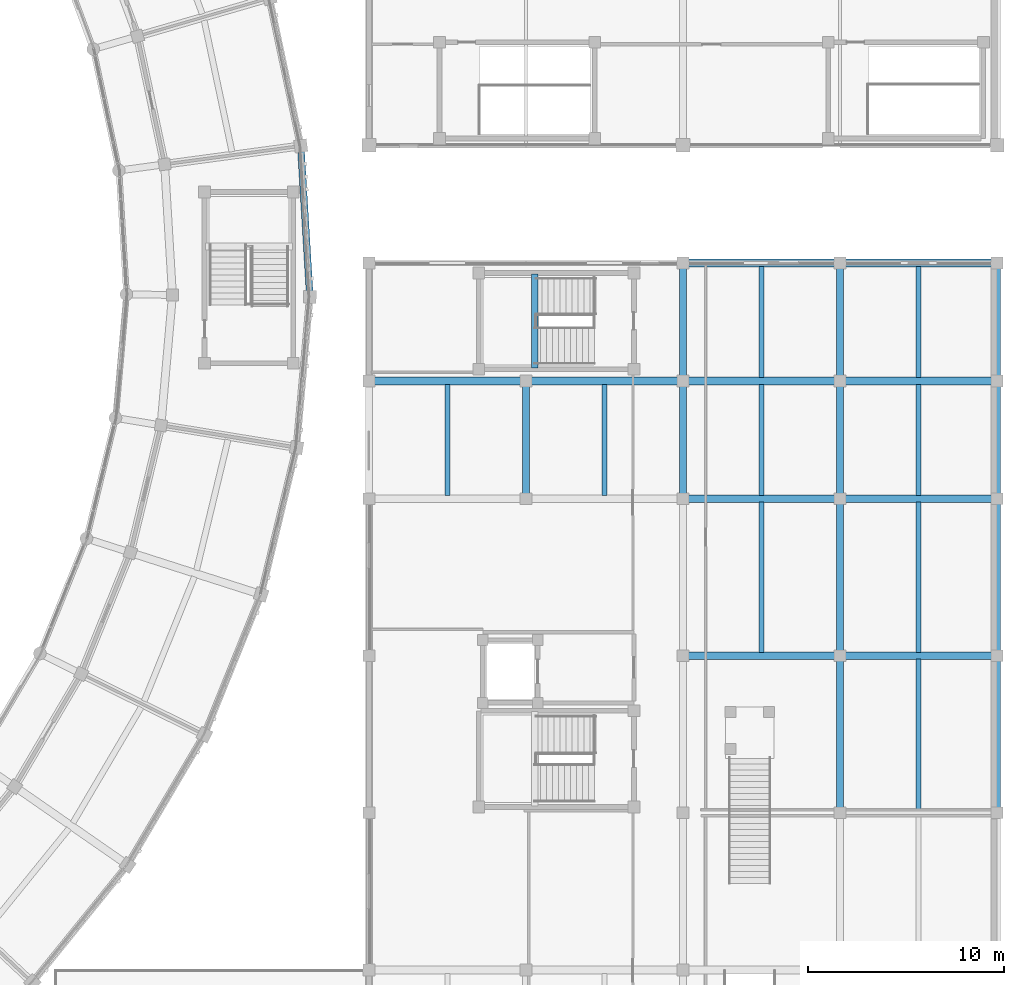
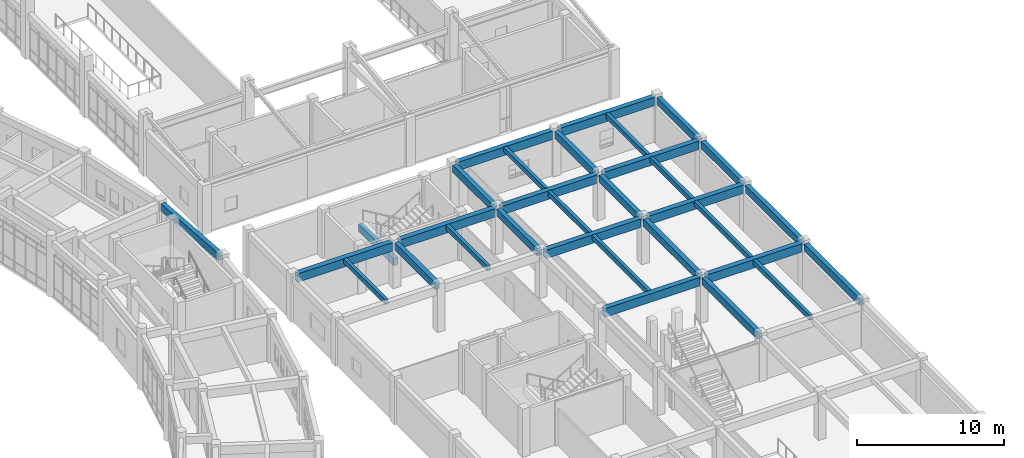
# One storey, part 88 of 159: 32 beams.
"""IFC4 building model written with IfcOpenShell, lengths in metres."""

from ifc_helpers import new_model, si_unit, direction, frame, origin, origin_2d, place, context, subcontext, project, spatial, rectangle, extrude, material, material_profile, profile_set, type_object, element, save


model = new_model("IFC4")

# Units and contexts
model_context = context("Model", 3, precision=1e-05, world=origin(), true_north=direction((0.0, 1.0)))
body_context = subcontext(model_context, "Body", "Model", "MODEL_VIEW")
ifc_project = project(units=[si_unit("LENGTHUNIT", "METRE"), si_unit("AREAUNIT", "SQUARE_METRE"), si_unit("VOLUMEUNIT", "CUBIC_METRE"), si_unit("PLANEANGLEUNIT", "RADIAN"), si_unit("MASSUNIT", "GRAM", prefix="KILO")], contexts=[model_context])

# Site, building, storey
site_placement = place(None, origin())
site = spatial("IfcSite", under=ifc_project, at=site_placement, CompositionType="ELEMENT")
building_placement = place(site_placement, origin())
building = spatial("IfcBuilding", under=site, at=building_placement, Name="Celadon Cloister-Ring School", CompositionType="ELEMENT")
storey_placement = place(building_placement, frame((0.0, 0.0, 4.5)))
storey = spatial("IfcBuildingStorey", under=building, at=storey_placement, Name="L01", CompositionType="ELEMENT", Elevation=4.5)

# Beams
ifc_material_1 = material(Name="Concrete C35/45", Category="concrete")
ifc_material_profile_1 = material_profile(ifc_material_1, rectangle(XDim=0.35009765625, YDim=0.60009765625, at=origin_2d()), Name="RC350X600")
ifc_profile_set_1 = profile_set([ifc_material_profile_1], Name="Concrete C35/45")
beam_type_1 = type_object("IfcBeamType", Name="BT-02", PredefinedType="BEAM", material=ifc_profile_set_1)
for number, where, z_axis, x_axis, name in (
    (1, (150.0, 48.27490234375, 3.4599609375), (0.0, 1.0, 0.0), (-1.0, 0.0, 0.0), "Beam 1331"),
    (2, (158.0, 48.27490234375, 3.4599609375), (0.0, 1.0, 0.0), (-1.0, 0.0, 0.0), "Beam 1338"),
    (3, (158.0, 54.27490234375, 3.4599609375), (0.0, 1.0, 0.0), (-1.0, 0.0, 0.0), "Beam 1339"),
):
    element("IfcBeam", number, at=place(storey_placement, frame(where, z_axis=z_axis, x_axis=x_axis)), inside=storey, type_object=beam_type_1, Name=name, PredefinedType="BEAM", context=body_context, shape_type="SweptSolid", body=[
        extrude(rectangle(XDim=0.35009765625, YDim=0.60009765625, at=origin_2d()), origin(), (0.0, 0.0, 1.0), 5.4501953125),
    ])
for number, where, z_axis, x_axis, name in (
    (4, (166.0, 32.27490234375, 3.4599609375), (0.0, 1.0, 0.0), (-1.0, 0.0, 0.0), "Beam 1344"),
    (5, (166.0, 40.27490234375, 3.4599609375), (0.0, 1.0, 0.0), (-1.0, 0.0, 0.0), "Beam 1345"),
):
    element("IfcBeam", number, at=place(storey_placement, frame(where, z_axis=z_axis, x_axis=x_axis)), inside=storey, type_object=beam_type_1, Name=name, PredefinedType="BEAM", context=body_context, shape_type="SweptSolid", body=[
        extrude(rectangle(XDim=0.35009765625, YDim=0.60009765625, at=origin_2d()), origin(), (0.0, 0.0, 1.0), 7.4501953125),
    ])
for number, where, z_axis, x_axis, name in (
    (6, (166.0, 48.27490234375, 3.4599609375), (0.0, 1.0, 0.0), (-1.0, 0.0, 0.0), "Beam 1346"),
    (7, (166.0, 54.27490234375, 3.4599609375), (0.0, 1.0, 0.0), (-1.0, 0.0, 0.0), "Beam 1347"),
):
    element("IfcBeam", number, at=place(storey_placement, frame(where, z_axis=z_axis, x_axis=x_axis)), inside=storey, type_object=beam_type_1, Name=name, PredefinedType="BEAM", context=body_context, shape_type="SweptSolid", body=[
        extrude(rectangle(XDim=0.35009765625, YDim=0.60009765625, at=origin_2d()), origin(), (0.0, 0.0, 1.0), 5.4501953125),
    ])
for number, where, z_axis, x_axis, name in (
    (8, (174.0, 32.27490234375, 3.4599609375), (0.0, 1.0, 0.0), (-1.0, 0.0, 0.0), "Beam 1352"),
    (9, (174.0, 40.27490234375, 3.4599609375), (0.0, 1.0, 0.0), (-1.0, 0.0, 0.0), "Beam 1353"),
):
    element("IfcBeam", number, at=place(storey_placement, frame(where, z_axis=z_axis, x_axis=x_axis)), inside=storey, type_object=beam_type_1, Name=name, PredefinedType="BEAM", context=body_context, shape_type="SweptSolid", body=[
        extrude(rectangle(XDim=0.35009765625, YDim=0.60009765625, at=origin_2d()), origin(), (0.0, 0.0, 1.0), 7.4501953125),
    ])
for number, where, z_axis, x_axis, name in (
    (10, (174.0, 48.27490234375, 3.4599609375), (0.0, 1.0, 0.0), (-1.0, 0.0, 0.0), "Beam 1354"),
    (11, (174.0, 54.27490234375, 3.4599609375), (0.0, 1.0, 0.0), (-1.0, 0.0, 0.0), "Beam 1355"),
):
    element("IfcBeam", number, at=place(storey_placement, frame(where, z_axis=z_axis, x_axis=x_axis)), inside=storey, type_object=beam_type_1, Name=name, PredefinedType="BEAM", context=body_context, shape_type="SweptSolid", body=[
        extrude(rectangle(XDim=0.35009765625, YDim=0.60009765625, at=origin_2d()), origin(), (0.0, 0.0, 1.0), 5.4501953125),
    ])
beam_1_placement = place(storey_placement, frame((150.449951171875, 54.64990234375, 1.39990234375), z_axis=(0.0, 1.0, 0.0), x_axis=(-1.0, 0.0, 0.0)))
element("IfcBeam", 12, at=beam_1_placement, inside=storey, type_object=beam_type_1, Name="Stair Landing Beam 1749", PredefinedType="BEAM", context=body_context, shape_type="SweptSolid", body=[
    extrude(rectangle(XDim=0.35009765625, YDim=0.60009765625, at=origin_2d()), origin(), (0.0, 0.0, 1.0), 4.800048828125),
])
ifc_material_2 = material(Name="Concrete C35/45", Category="concrete")
ifc_material_profile_2 = material_profile(ifc_material_2, rectangle(XDim=0.39990234375, YDim=0.699951171875, at=origin_2d()), Name="RC400X700")
ifc_profile_set_2 = profile_set([ifc_material_profile_2], Name="Concrete C35/45")
beam_type_2 = type_object("IfcBeamType", Name="GT-03", PredefinedType="USERDEFINED", material=ifc_profile_set_2)
for number, where, z_axis, x_axis, name in (
    (13, (158.27490234375, 40.0, 3.409912109375), (1.0, 0.0, 0.0), (0.0, 1.0, 0.0), "Beam 1304"),
    (14, (166.27490234375, 40.0, 3.409912109375), (1.0, 0.0, 0.0), (0.0, 1.0, 0.0), "Beam 1305"),
    (15, (158.27490234375, 48.0, 3.409912109375), (1.0, 0.0, 0.0), (0.0, 1.0, 0.0), "Beam 1308"),
    (16, (166.27490234375, 48.0, 3.409912109375), (1.0, 0.0, 0.0), (0.0, 1.0, 0.0), "Beam 1309"),
    (17, (142.27490234375, 54.0, 3.409912109375), (1.0, 0.0, 0.0), (0.0, 1.0, 0.0), "Beam 1310"),
    (18, (150.27490234375, 54.0, 3.409912109375), (1.0, 0.0, 0.0), (0.0, 1.0, 0.0), "Beam 1311"),
    (19, (158.27490234375, 54.0, 3.409912109375), (1.0, 0.0, 0.0), (0.0, 1.0, 0.0), "Beam 1312"),
    (20, (166.27490234375, 54.0, 3.409912109375), (1.0, 0.0, 0.0), (0.0, 1.0, 0.0), "Beam 1313"),
    (21, (158.27490234375, 60.0, 3.409912109375), (1.0, 0.0, 0.0), (0.0, 1.0, 0.0), "Beam 1314"),
    (22, (166.27490234375, 60.0, 3.409912109375), (1.0, 0.0, 0.0), (0.0, 1.0, 0.0), "Beam 1315"),
):
    element("IfcBeam", number, at=place(storey_placement, frame(where, z_axis=z_axis, x_axis=x_axis)), inside=storey, type_object=beam_type_2, Name=name, ObjectType="GIRDER", PredefinedType="USERDEFINED", context=body_context, shape_type="SweptSolid", body=[
        extrude(rectangle(XDim=0.39990234375, YDim=0.699951171875, at=origin_2d()), origin(), (0.0, 0.0, 1.0), 7.4501953125),
    ])
ifc_material_3 = material(Name="Concrete C35/45", Category="concrete")
ifc_material_profile_3 = material_profile(ifc_material_3, rectangle(XDim=0.25, YDim=0.39990234375, at=origin_2d()), Name="RC250X400")
ifc_profile_set_3 = profile_set([ifc_material_profile_3], Name="Concrete C35/45")
beam_type_3 = type_object("IfcBeamType", Name="JT-02", PredefinedType="JOIST", material=ifc_profile_set_3)
for number, where, z_axis, x_axis, name in (
    (23, (146.0, 48.175048828125, 3.56005859375), (0.0, 1.0, 0.0), (-1.0, 0.0, 0.0), "Beam 1363"),
    (24, (154.0, 48.175048828125, 3.56005859375), (0.0, 1.0, 0.0), (-1.0, 0.0, 0.0), "Beam 1367"),
):
    element("IfcBeam", number, at=place(storey_placement, frame(where, z_axis=z_axis, x_axis=x_axis)), inside=storey, type_object=beam_type_3, Name=name, PredefinedType="JOIST", context=body_context, shape_type="SweptSolid", body=[
        extrude(rectangle(XDim=0.25, YDim=0.39990234375, at=origin_2d()), origin(), (0.0, 0.0, 1.0), 5.64990234375),
    ])
beam_2_placement = place(storey_placement, frame((162.0, 40.175048828125, 3.56005859375), z_axis=(0.0, 1.0, 0.0), x_axis=(-1.0, 0.0, 0.0)))
element("IfcBeam", 25, at=beam_2_placement, inside=storey, type_object=beam_type_3, Name="Beam 1369", PredefinedType="JOIST", context=body_context, shape_type="SweptSolid", body=[
    extrude(rectangle(XDim=0.25, YDim=0.39990234375, at=origin_2d()), origin(), (0.0, 0.0, 1.0), 7.64990234375),
])
for number, where, z_axis, x_axis, name in (
    (26, (162.0, 48.175048828125, 3.56005859375), (0.0, 1.0, 0.0), (-1.0, 0.0, 0.0), "Beam 1370"),
    (27, (162.0, 54.175048828125, 3.56005859375), (0.0, 1.0, 0.0), (-1.0, 0.0, 0.0), "Beam 1371"),
):
    element("IfcBeam", number, at=place(storey_placement, frame(where, z_axis=z_axis, x_axis=x_axis)), inside=storey, type_object=beam_type_3, Name=name, PredefinedType="JOIST", context=body_context, shape_type="SweptSolid", body=[
        extrude(rectangle(XDim=0.25, YDim=0.39990234375, at=origin_2d()), origin(), (0.0, 0.0, 1.0), 5.64990234375),
    ])
for number, where, z_axis, x_axis, name in (
    (28, (170.0, 32.175048828125, 3.56005859375), (0.0, 1.0, 0.0), (-1.0, 0.0, 0.0), "Beam 1376"),
    (29, (170.0, 40.175048828125, 3.56005859375), (0.0, 1.0, 0.0), (-1.0, 0.0, 0.0), "Beam 1377"),
):
    element("IfcBeam", number, at=place(storey_placement, frame(where, z_axis=z_axis, x_axis=x_axis)), inside=storey, type_object=beam_type_3, Name=name, PredefinedType="JOIST", context=body_context, shape_type="SweptSolid", body=[
        extrude(rectangle(XDim=0.25, YDim=0.39990234375, at=origin_2d()), origin(), (0.0, 0.0, 1.0), 7.64990234375),
    ])
for number, where, z_axis, x_axis, name in (
    (30, (170.0, 48.175048828125, 3.56005859375), (0.0, 1.0, 0.0), (-1.0, 0.0, 0.0), "Beam 1378"),
    (31, (170.0, 54.175048828125, 3.56005859375), (0.0, 1.0, 0.0), (-1.0, 0.0, 0.0), "Beam 1379"),
):
    element("IfcBeam", number, at=place(storey_placement, frame(where, z_axis=z_axis, x_axis=x_axis)), inside=storey, type_object=beam_type_3, Name=name, PredefinedType="JOIST", context=body_context, shape_type="SweptSolid", body=[
        extrude(rectangle(XDim=0.25, YDim=0.39990234375, at=origin_2d()), origin(), (0.0, 0.0, 1.0), 5.64990234375),
    ])
ifc_material_4 = material(Name="Concrete C35/45", Category="concrete")
ifc_material_profile_4 = material_profile(ifc_material_4, rectangle(XDim=0.35009765625, YDim=0.60009765625, at=origin_2d()), Name="RC350X600")
ifc_profile_set_4 = profile_set([ifc_material_profile_4], Name="Concrete C35/45")
beam_type_4 = type_object("IfcBeamType", Name="SP-01", PredefinedType="SPANDREL", material=ifc_profile_set_4)
beam_3_placement = place(storey_placement, frame((138.97705078125, 58.580078125, 3.47998046875), z_axis=(-0.060236729714, 0.998184119486, 0.0), x_axis=(-0.998184119486, -0.060236729714, 0.0)))
element("IfcBeam", 32, at=beam_3_placement, inside=storey, type_object=beam_type_4, Name="Beam 0370", PredefinedType="SPANDREL", context=body_context, shape_type="SweptSolid", body=[
    extrude(rectangle(XDim=0.35009765625, YDim=0.60009765625, at=origin_2d()), origin(), (0.0, 0.0, 1.0), 7.10498046875),
])

save(model, "model.ifc")
